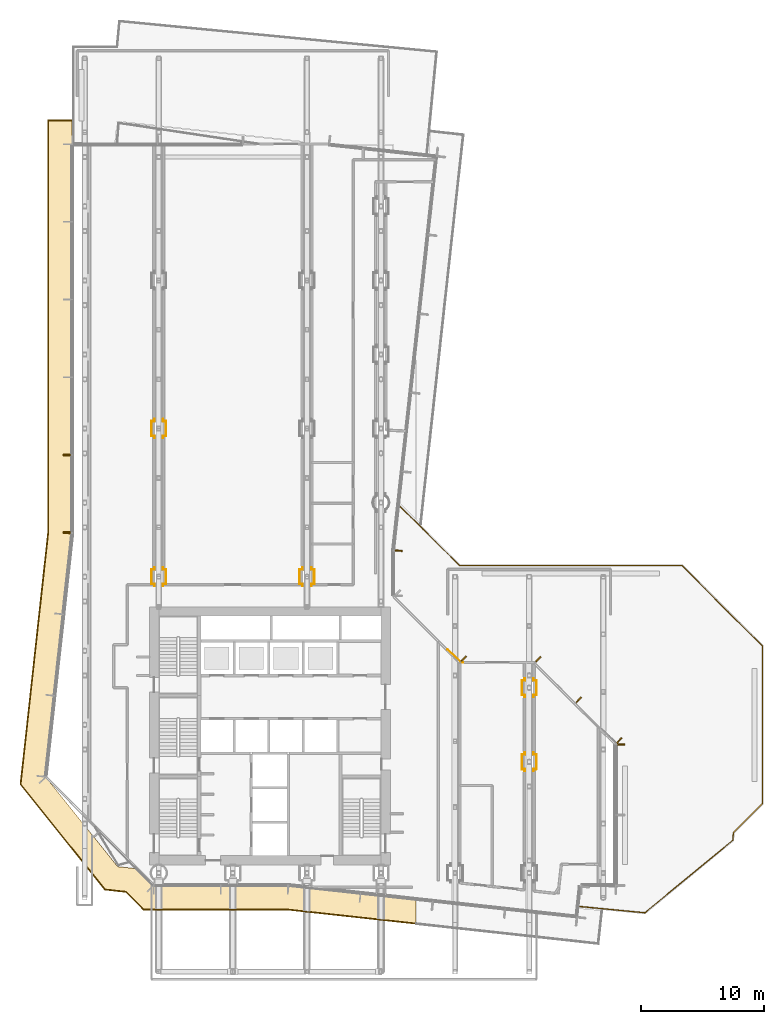
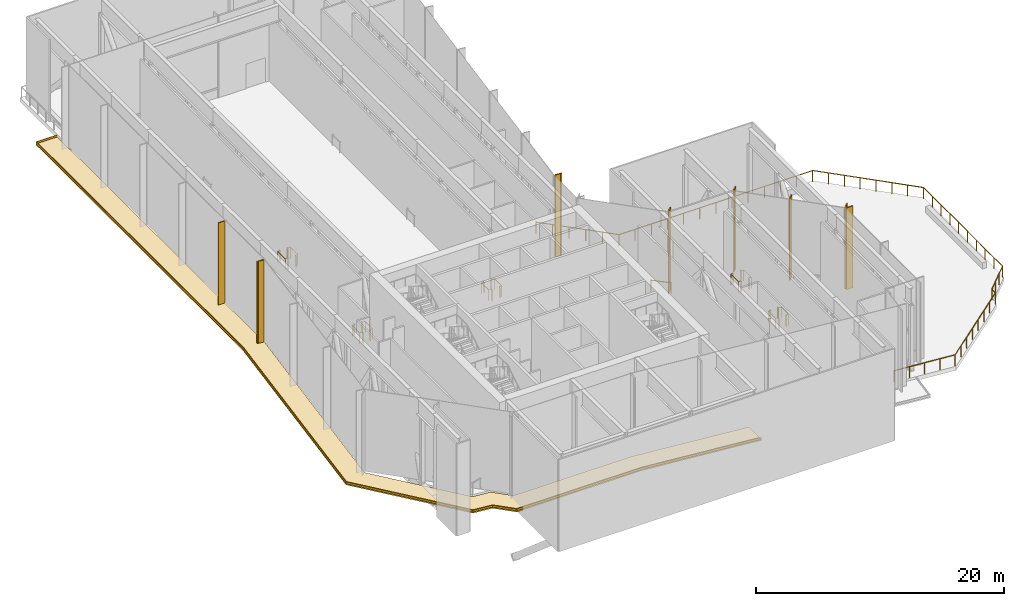
# One storey, part 21 of 24: 12 coverings, 12 railings.
"""IFC4 building model written with IfcOpenShell, lengths in metres."""

from ifc_helpers import new_model, si_unit, direction, frame, origin, origin_2d, place, context, subcontext, project, spatial, polyline, rectangle, circle, outline, extrude, material, layer, layer_set, type_object, element, save


model = new_model("IFC4")

# Units and contexts
model_context = context("Model", 3, precision=1e-05, world=origin(), true_north=direction((0.0, 1.0)))
body_context = subcontext(model_context, "Body", "Model", "MODEL_VIEW")
ifc_project = project(units=[si_unit("LENGTHUNIT", "METRE"), si_unit("AREAUNIT", "SQUARE_METRE"), si_unit("VOLUMEUNIT", "CUBIC_METRE"), si_unit("PLANEANGLEUNIT", "RADIAN"), si_unit("MASSUNIT", "GRAM", prefix="KILO")], contexts=[model_context])

# Site, building, storey
site_placement = place(None, origin())
site = spatial("IfcSite", under=ifc_project, at=site_placement, CompositionType="ELEMENT")
building_placement = place(site_placement, origin())
building = spatial("IfcBuilding", under=site, at=building_placement, Name="Welwitschia Terrace Campus", CompositionType="ELEMENT")
storey_placement = place(building_placement, frame((0.0, 0.0, 138.199951171875)))
storey = spatial("IfcBuildingStorey", under=building, at=storey_placement, Name="L31", CompositionType="ELEMENT", Elevation=138.199951171875)

# Coverings
ifc_material_1 = material(Name="Bronze anodised aluminium", Category="aluminium")
ifc_layer_1 = layer(ifc_material_1, 0.10009765625)
ifc_layer_set_1 = layer_set([ifc_layer_1], Name="Bronze anodised aluminium")
covering_type_1 = type_object("IfcCoveringType", Name="Bronze fin 100x600", PredefinedType="USERDEFINED", material=ifc_layer_set_1)
for number, where, z_axis, x_axis, name in (
    (1, (43.429931640625, 14.40478515625, 0.0), (0.0, 0.0, 1.0), (0.0, 1.0, 0.0), "Fin L31.5.2"),
    (2, (43.297607421875, 14.724853515625, 0.0), (0.0, 0.0, 1.0), (-0.707106781187, 0.707106781187, 0.0), "Fin L31.6.0"),
    (3, (40.01123046875, 18.01123046875, 0.0), (0.0, 0.0, 1.0), (-0.707106781187, 0.707106781187, 0.0), "Fin L31.6.1"),
    (4, (36.724853515625, 21.297607421875, 0.0), (0.0, 0.0, 1.0), (-0.707106781187, 0.707106781187, 0.0), "Fin L31.6.2"),
    (5, (30.682373046875, 21.33984375, 0.0), (0.0, 0.0, 1.0), (-0.707106781187, 0.707106781187, 0.0), "Fin L31.8.0"),
    (6, (25.429931640625, 30.09326171875, 0.0), (0.0, 0.0, 1.0), (0.0, 1.0, 0.0), "Fin L31.9.1"),
    (7, (25.430908203125, 30.11181640625, 0.0), (0.0, 0.0, 1.0), (0.108866874852, 0.994056338222, 0.0), "Fin L31.10.0"),
    (8, (-1.429931640625, 37.8486328125, 0.0), (0.0, 0.0, 1.0), (0.0, -1.0, 0.0), "Fin L31.13.4"),
    (9, (-1.429931640625, 31.578369140625, 0.0), (0.0, 0.0, 1.0), (0.0, -1.0, 0.0), "Fin L31.13.5"),
    (10, (-1.430908203125, 31.559814453125, 0.0), (0.0, 0.0, 1.0), (-0.108866874852, -0.994056338222, 0.0), "Fin L31.14.0"),
):
    element("IfcCovering", number, at=place(storey_placement, frame(where, z_axis=z_axis, x_axis=x_axis)), inside=storey, type_object=covering_type_1, Name=name, ObjectType="FIN", PredefinedType="USERDEFINED", context=body_context, shape_type="SweptSolid", body=[
        extrude(rectangle(XDim=0.10009765625, YDim=0.60009765625, at=origin_2d()), origin(), (0.0, 0.0, 1.0), 8.050048828125),
    ])

# Railings
ifc_material_2 = material(Name="Stainless steel grade 316", Category="steel")
railing_type = type_object("IfcRailingType", Name="Guard 1100", PredefinedType="GUARDRAIL", material=ifc_material_2)
railing_1_placement = place(storey_placement, frame((25.44970703125, 33.7744140625, 0.0)))
element("IfcRailing", 11, at=railing_1_placement, inside=storey, type_object=railing_type, Name="Guard terrace L31:0:0.0", PredefinedType="GUARDRAIL", context=body_context, shape_type="SweptSolid", body=[
    extrude(circle(Radius=0.02392578125, at=origin_2d()), frame((0.0, 0.0, 1.076171875), z_axis=(0.710604417472, -0.70359175796, 0.0), x_axis=(0.70359175796, 0.710604417472, 0.0)), (0.0, 0.0, 1.0), 6.927978515625),
    extrude(circle(Radius=0.02392578125, at=origin_2d()), frame((4.923095703125, -4.87451171875, 1.076171875), z_axis=(1.0, 0.0, 0.0), x_axis=(0.0, 1.0, 0.0)), (0.0, 0.0, 1.0), 18.0),
    extrude(circle(Radius=0.02392578125, at=origin_2d()), frame((22.923095703125, -4.87451171875, 1.076171875), z_axis=(0.707106781187, -0.707106781187, 0.0), x_axis=(0.707106781187, 0.707106781187, 0.0)), (0.0, 0.0, 1.0), 9.230712890625),
    extrude(circle(Radius=0.02392578125, at=origin_2d()), frame((29.4501953125, -11.401611328125, 1.076171875), z_axis=(0.0, -1.0, 0.0), x_axis=(1.0, 0.0, 0.0)), (0.0, 0.0, 1.0), 12.74560546875),
    extrude(circle(Radius=0.02392578125, at=origin_2d()), frame((29.4501953125, -24.147216796875, 1.076171875), z_axis=(-0.707106781187, -0.707106781187, 0.0), x_axis=(0.707106781187, -0.707106781187, 0.0)), (0.0, 0.0, 1.0), 3.315673828125),
    extrude(circle(Radius=0.02392578125, at=origin_2d()), frame((27.105712890625, -26.49169921875, 1.076171875), z_axis=(-0.096018549477, -0.995379544775, 0.0), x_axis=(0.995379544775, -0.096018549477, 0.0)), (0.0, 0.0, 1.0), 0.63818359375),
    extrude(circle(Radius=0.02392578125, at=origin_2d()), frame((27.04443359375, -27.126953125, 1.076171875), z_axis=(-0.771624765853, -0.636077998929, 0.0), x_axis=(0.636077998929, -0.771624765853, 0.0)), (0.0, 0.0, 1.0), 9.23095703125),
    extrude(circle(Radius=0.02392578125, at=origin_2d()), frame((19.921630859375, -32.99853515625, 1.076171875), z_axis=(-0.995380468741, 0.096008970667, 0.0), x_axis=(-0.096008970667, -0.995380468741, 0.0)), (0.0, 0.0, 1.0), 5.39599609375),
    extrude(circle(Radius=0.02099609375, at=origin_2d()), origin(), (0.0, 0.0, 1.0), 1.052001953125),
    extrude(circle(Radius=0.02099609375, at=origin_2d()), frame((0.984619140625, -0.974853515625, 0.0)), (0.0, 0.0, 1.0), 1.052001953125),
    extrude(circle(Radius=0.02099609375, at=origin_2d()), frame((1.96923828125, -1.94970703125, 0.0)), (0.0, 0.0, 1.0), 1.052001953125),
    extrude(circle(Radius=0.02099609375, at=origin_2d()), frame((2.953857421875, -2.9248046875, 0.0)), (0.0, 0.0, 1.0), 1.052001953125),
    extrude(circle(Radius=0.02099609375, at=origin_2d()), frame((3.9384765625, -3.899658203125, 0.0)), (0.0, 0.0, 1.0), 1.052001953125),
    extrude(circle(Radius=0.02099609375, at=origin_2d()), frame((4.923095703125, -4.87451171875, 0.0)), (0.0, 0.0, 1.0), 1.052001953125),
    extrude(circle(Radius=0.02099609375, at=origin_2d()), frame((6.423095703125, -4.87451171875, 0.0)), (0.0, 0.0, 1.0), 1.052001953125),
    extrude(circle(Radius=0.02099609375, at=origin_2d()), frame((7.923095703125, -4.87451171875, 0.0)), (0.0, 0.0, 1.0), 1.052001953125),
    extrude(circle(Radius=0.02099609375, at=origin_2d()), frame((9.423095703125, -4.87451171875, 0.0)), (0.0, 0.0, 1.0), 1.052001953125),
    extrude(circle(Radius=0.02099609375, at=origin_2d()), frame((10.923095703125, -4.87451171875, 0.0)), (0.0, 0.0, 1.0), 1.052001953125),
    extrude(circle(Radius=0.02099609375, at=origin_2d()), frame((12.423095703125, -4.87451171875, 0.0)), (0.0, 0.0, 1.0), 1.052001953125),
    extrude(circle(Radius=0.02099609375, at=origin_2d()), frame((13.923095703125, -4.87451171875, 0.0)), (0.0, 0.0, 1.0), 1.052001953125),
    extrude(circle(Radius=0.02099609375, at=origin_2d()), frame((15.423095703125, -4.87451171875, 0.0)), (0.0, 0.0, 1.0), 1.052001953125),
    extrude(circle(Radius=0.02099609375, at=origin_2d()), frame((16.923095703125, -4.87451171875, 0.0)), (0.0, 0.0, 1.0), 1.052001953125),
    extrude(circle(Radius=0.02099609375, at=origin_2d()), frame((18.423095703125, -4.87451171875, 0.0)), (0.0, 0.0, 1.0), 1.052001953125),
    extrude(circle(Radius=0.02099609375, at=origin_2d()), frame((19.923095703125, -4.87451171875, 0.0)), (0.0, 0.0, 1.0), 1.052001953125),
    extrude(circle(Radius=0.02099609375, at=origin_2d()), frame((21.423095703125, -4.87451171875, 0.0)), (0.0, 0.0, 1.0), 1.052001953125),
    extrude(circle(Radius=0.02099609375, at=origin_2d()), frame((22.923095703125, -4.87451171875, 0.0)), (0.0, 0.0, 1.0), 1.052001953125),
    extrude(circle(Radius=0.02099609375, at=origin_2d()), frame((23.85546875, -5.806884765625, 0.0)), (0.0, 0.0, 1.0), 1.052001953125),
    extrude(circle(Radius=0.02099609375, at=origin_2d()), frame((24.7880859375, -6.739501953125, 0.0)), (0.0, 0.0, 1.0), 1.052001953125),
    extrude(circle(Radius=0.02099609375, at=origin_2d()), frame((25.720458984375, -7.671875, 0.0)), (0.0, 0.0, 1.0), 1.052001953125),
    extrude(circle(Radius=0.02099609375, at=origin_2d()), frame((26.65283203125, -8.604248046875, 0.0)), (0.0, 0.0, 1.0), 1.052001953125),
    extrude(circle(Radius=0.02099609375, at=origin_2d()), frame((27.585205078125, -9.53662109375, 0.0)), (0.0, 0.0, 1.0), 1.052001953125),
    extrude(circle(Radius=0.02099609375, at=origin_2d()), frame((28.517822265625, -10.46923828125, 0.0)), (0.0, 0.0, 1.0), 1.052001953125),
    extrude(circle(Radius=0.02099609375, at=origin_2d()), frame((29.4501953125, -11.401611328125, 0.0)), (0.0, 0.0, 1.0), 1.052001953125),
    extrude(circle(Radius=0.02099609375, at=origin_2d()), frame((29.4501953125, -12.81787109375, 0.0)), (0.0, 0.0, 1.0), 1.052001953125),
    extrude(circle(Radius=0.02099609375, at=origin_2d()), frame((29.4501953125, -14.23388671875, 0.0)), (0.0, 0.0, 1.0), 1.052001953125),
    extrude(circle(Radius=0.02099609375, at=origin_2d()), frame((29.4501953125, -15.650146484375, 0.0)), (0.0, 0.0, 1.0), 1.052001953125),
    extrude(circle(Radius=0.02099609375, at=origin_2d()), frame((29.4501953125, -17.06640625, 0.0)), (0.0, 0.0, 1.0), 1.052001953125),
    extrude(circle(Radius=0.02099609375, at=origin_2d()), frame((29.4501953125, -18.482421875, 0.0)), (0.0, 0.0, 1.0), 1.052001953125),
    extrude(circle(Radius=0.02099609375, at=origin_2d()), frame((29.4501953125, -19.898681640625, 0.0)), (0.0, 0.0, 1.0), 1.052001953125),
    extrude(circle(Radius=0.02099609375, at=origin_2d()), frame((29.4501953125, -21.31494140625, 0.0)), (0.0, 0.0, 1.0), 1.052001953125),
    extrude(circle(Radius=0.02099609375, at=origin_2d()), frame((29.4501953125, -22.73095703125, 0.0)), (0.0, 0.0, 1.0), 1.052001953125),
    extrude(circle(Radius=0.02099609375, at=origin_2d()), frame((29.4501953125, -24.147216796875, 0.0)), (0.0, 0.0, 1.0), 1.052001953125),
    extrude(circle(Radius=0.02099609375, at=origin_2d()), frame((28.668701171875, -24.9287109375, 0.0)), (0.0, 0.0, 1.0), 1.052001953125),
    extrude(circle(Radius=0.02099609375, at=origin_2d()), frame((27.88720703125, -25.710205078125, 0.0)), (0.0, 0.0, 1.0), 1.052001953125),
    extrude(circle(Radius=0.02099609375, at=origin_2d()), frame((27.105712890625, -26.49169921875, 0.0)), (0.0, 0.0, 1.0), 1.052001953125),
    extrude(circle(Radius=0.02099609375, at=origin_2d()), frame((27.04443359375, -27.126953125, 0.0)), (0.0, 0.0, 1.0), 1.052001953125),
    extrude(circle(Radius=0.02099609375, at=origin_2d()), frame((26.02685546875, -27.9658203125, 0.0)), (0.0, 0.0, 1.0), 1.052001953125),
    extrude(circle(Radius=0.02099609375, at=origin_2d()), frame((25.00927734375, -28.804443359375, 0.0)), (0.0, 0.0, 1.0), 1.052001953125),
    extrude(circle(Radius=0.02099609375, at=origin_2d()), frame((23.99169921875, -29.643310546875, 0.0)), (0.0, 0.0, 1.0), 1.052001953125),
    extrude(circle(Radius=0.02099609375, at=origin_2d()), frame((22.974365234375, -30.482177734375, 0.0)), (0.0, 0.0, 1.0), 1.052001953125),
    extrude(circle(Radius=0.02099609375, at=origin_2d()), frame((21.956787109375, -31.321044921875, 0.0)), (0.0, 0.0, 1.0), 1.052001953125),
    extrude(circle(Radius=0.02099609375, at=origin_2d()), frame((20.939208984375, -32.15966796875, 0.0)), (0.0, 0.0, 1.0), 1.052001953125),
    extrude(circle(Radius=0.02099609375, at=origin_2d()), frame((19.921630859375, -32.99853515625, 0.0)), (0.0, 0.0, 1.0), 1.052001953125),
    extrude(circle(Radius=0.02099609375, at=origin_2d()), frame((18.578857421875, -32.869140625, 0.0)), (0.0, 0.0, 1.0), 1.052001953125),
    extrude(circle(Radius=0.02099609375, at=origin_2d()), frame((17.236083984375, -32.739501953125, 0.0)), (0.0, 0.0, 1.0), 1.052001953125),
    extrude(circle(Radius=0.02099609375, at=origin_2d()), frame((15.893310546875, -32.60986328125, 0.0)), (0.0, 0.0, 1.0), 1.052001953125),
    extrude(circle(Radius=0.02099609375, at=origin_2d()), frame((14.550537109375, -32.48046875, 0.0)), (0.0, 0.0, 1.0), 1.052001953125),
])
railing_2_placement = place(storey_placement, frame((30.653076171875, 21.050048828125, 0.0)))
element("IfcRailing", 12, at=railing_2_placement, inside=storey, type_object=railing_type, Name="Guard terrace L31:0:0.1", PredefinedType="GUARDRAIL", context=body_context, shape_type="SweptSolid", body=[
    extrude(circle(Radius=0.02392578125, at=origin_2d()), frame((0.0, 0.0, 1.076171875), z_axis=(-0.969362222536, 0.245635668257, 0.0), x_axis=(-0.245635668257, -0.969362222536, 0.0)), (0.0, 0.0, 1.0), 0.203857421875),
    extrude(circle(Radius=0.02392578125, at=origin_2d()), frame((-0.197509765625, 0.050048828125, 1.076171875), z_axis=(-0.731178852413, 0.682185814705, 0.0), x_axis=(-0.682185814705, -0.731178852413, 0.0)), (0.0, 0.0, 1.0), 1.445068359375),
    extrude(circle(Radius=0.02099609375, at=origin_2d()), origin(), (0.0, 0.0, 1.0), 1.052001953125),
    extrude(circle(Radius=0.02099609375, at=origin_2d()), frame((-0.197509765625, 0.050048828125, 0.0)), (0.0, 0.0, 1.0), 1.052001953125),
    extrude(circle(Radius=0.02099609375, at=origin_2d()), frame((-1.254150390625, 1.035888671875, 0.0)), (0.0, 0.0, 1.0), 1.052001953125),
])
for number, where, name in (
    (13, (36.35498046875, 12.2451171875, 0.0), "Guard floor edge L31.3"),
    (14, (36.35498046875, 18.2451171875, 0.0), "Guard floor edge L31.4"),
):
    element("IfcRailing", number, at=place(storey_placement, frame(where)), inside=storey, type_object=railing_type, Name=name, PredefinedType="GUARDRAIL", context=body_context, shape_type="SweptSolid", body=[
        extrude(circle(Radius=0.02392578125, at=origin_2d()), frame((0.0, 0.0, 1.076171875), z_axis=(0.0, 1.0, 0.0), x_axis=(-1.0, 0.0, 0.0)), (0.0, 0.0, 1.0), 0.159912109375),
        extrude(circle(Radius=0.02392578125, at=origin_2d()), frame((0.0, 0.159912109375, 1.076171875), z_axis=(1.0, 0.0, 0.0), x_axis=(0.0, 1.0, 0.0)), (0.0, 0.0, 1.0), 0.239990234375),
        extrude(circle(Radius=0.02392578125, at=origin_2d()), frame((0.239990234375, 0.159912109375, 1.076171875), z_axis=(0.0, 1.0, 0.0), x_axis=(-1.0, 0.0, 0.0)), (0.0, 0.0, 1.0), 1.18994140625),
        extrude(circle(Radius=0.02392578125, at=origin_2d()), frame((0.239990234375, 1.349853515625, 1.076171875), z_axis=(-1.0, 0.0, 0.0), x_axis=(0.0, -1.0, 0.0)), (0.0, 0.0, 1.0), 0.239990234375),
        extrude(circle(Radius=0.02392578125, at=origin_2d()), frame((0.0, 1.349853515625, 1.076171875), z_axis=(0.0, 1.0, 0.0), x_axis=(-1.0, 0.0, 0.0)), (0.0, 0.0, 1.0), 0.159912109375),
        extrude(circle(Radius=0.02099609375, at=origin_2d()), origin(), (0.0, 0.0, 1.0), 1.052001953125),
        extrude(circle(Radius=0.02099609375, at=origin_2d()), frame((0.0, 0.159912109375, 0.0)), (0.0, 0.0, 1.0), 1.052001953125),
        extrude(circle(Radius=0.02099609375, at=origin_2d()), frame((0.239990234375, 0.159912109375, 0.0)), (0.0, 0.0, 1.0), 1.052001953125),
        extrude(circle(Radius=0.02099609375, at=origin_2d()), frame((0.239990234375, 1.349853515625, 0.0)), (0.0, 0.0, 1.0), 1.052001953125),
        extrude(circle(Radius=0.02099609375, at=origin_2d()), frame((0.0, 1.349853515625, 0.0)), (0.0, 0.0, 1.0), 1.052001953125),
        extrude(circle(Radius=0.02099609375, at=origin_2d()), frame((0.0, 1.509765625, 0.0)), (0.0, 0.0, 1.0), 1.052001953125),
    ])
for number, where, name in (
    (15, (35.64501953125, 13.7548828125, 0.0), "Guard floor edge L31.6"),
    (16, (35.64501953125, 19.7548828125, 0.0), "Guard floor edge L31.7"),
    (17, (17.64501953125, 28.7548828125, 0.0), "Guard floor edge L31.26"),
):
    element("IfcRailing", number, at=place(storey_placement, frame(where)), inside=storey, type_object=railing_type, Name=name, PredefinedType="GUARDRAIL", context=body_context, shape_type="SweptSolid", body=[
        extrude(circle(Radius=0.02392578125, at=origin_2d()), frame((0.0, 0.0, 1.076171875), z_axis=(0.0, -1.0, 0.0), x_axis=(1.0, 0.0, 0.0)), (0.0, 0.0, 1.0), 0.159912109375),
        extrude(circle(Radius=0.02392578125, at=origin_2d()), frame((0.0, -0.159912109375, 1.076171875), z_axis=(-1.0, 0.0, 0.0), x_axis=(0.0, -1.0, 0.0)), (0.0, 0.0, 1.0), 0.239990234375),
        extrude(circle(Radius=0.02392578125, at=origin_2d()), frame((-0.239990234375, -0.159912109375, 1.076171875), z_axis=(0.0, -1.0, 0.0), x_axis=(1.0, 0.0, 0.0)), (0.0, 0.0, 1.0), 1.18994140625),
        extrude(circle(Radius=0.02392578125, at=origin_2d()), frame((-0.239990234375, -1.349853515625, 1.076171875), z_axis=(1.0, 0.0, 0.0), x_axis=(0.0, 1.0, 0.0)), (0.0, 0.0, 1.0), 0.239990234375),
        extrude(circle(Radius=0.02392578125, at=origin_2d()), frame((0.0, -1.349853515625, 1.076171875), z_axis=(0.0, -1.0, 0.0), x_axis=(1.0, 0.0, 0.0)), (0.0, 0.0, 1.0), 0.159912109375),
        extrude(circle(Radius=0.02099609375, at=origin_2d()), origin(), (0.0, 0.0, 1.0), 1.052001953125),
        extrude(circle(Radius=0.02099609375, at=origin_2d()), frame((0.0, -0.159912109375, 0.0)), (0.0, 0.0, 1.0), 1.052001953125),
        extrude(circle(Radius=0.02099609375, at=origin_2d()), frame((-0.239990234375, -0.159912109375, 0.0)), (0.0, 0.0, 1.0), 1.052001953125),
        extrude(circle(Radius=0.02099609375, at=origin_2d()), frame((-0.239990234375, -1.349853515625, 0.0)), (0.0, 0.0, 1.0), 1.052001953125),
        extrude(circle(Radius=0.02099609375, at=origin_2d()), frame((0.0, -1.349853515625, 0.0)), (0.0, 0.0, 1.0), 1.052001953125),
        extrude(circle(Radius=0.02099609375, at=origin_2d()), frame((0.0, -1.509765625, 0.0)), (0.0, 0.0, 1.0), 1.052001953125),
    ])
railing_3_placement = place(storey_placement, frame((18.35498046875, 27.2451171875, 0.0)))
element("IfcRailing", 18, at=railing_3_placement, inside=storey, type_object=railing_type, Name="Guard floor edge L31.27", PredefinedType="GUARDRAIL", context=body_context, shape_type="SweptSolid", body=[
    extrude(circle(Radius=0.02392578125, at=origin_2d()), frame((0.0, 0.0, 1.076171875), z_axis=(0.0, 1.0, 0.0), x_axis=(-1.0, 0.0, 0.0)), (0.0, 0.0, 1.0), 0.159912109375),
    extrude(circle(Radius=0.02392578125, at=origin_2d()), frame((0.0, 0.159912109375, 1.076171875), z_axis=(1.0, 0.0, 0.0), x_axis=(0.0, 1.0, 0.0)), (0.0, 0.0, 1.0), 0.239990234375),
    extrude(circle(Radius=0.02392578125, at=origin_2d()), frame((0.239990234375, 0.159912109375, 1.076171875), z_axis=(0.0, 1.0, 0.0), x_axis=(-1.0, 0.0, 0.0)), (0.0, 0.0, 1.0), 1.18994140625),
    extrude(circle(Radius=0.02392578125, at=origin_2d()), frame((0.239990234375, 1.349853515625, 1.076171875), z_axis=(-1.0, 0.0, 0.0), x_axis=(0.0, -1.0, 0.0)), (0.0, 0.0, 1.0), 0.239990234375),
    extrude(circle(Radius=0.02392578125, at=origin_2d()), frame((0.0, 1.349853515625, 1.076171875), z_axis=(0.0, 1.0, 0.0), x_axis=(-1.0, 0.0, 0.0)), (0.0, 0.0, 1.0), 0.159912109375),
    extrude(circle(Radius=0.02099609375, at=origin_2d()), origin(), (0.0, 0.0, 1.0), 1.052001953125),
    extrude(circle(Radius=0.02099609375, at=origin_2d()), frame((0.0, 0.159912109375, 0.0)), (0.0, 0.0, 1.0), 1.052001953125),
    extrude(circle(Radius=0.02099609375, at=origin_2d()), frame((0.239990234375, 0.159912109375, 0.0)), (0.0, 0.0, 1.0), 1.052001953125),
    extrude(circle(Radius=0.02099609375, at=origin_2d()), frame((0.239990234375, 1.349853515625, 0.0)), (0.0, 0.0, 1.0), 1.052001953125),
    extrude(circle(Radius=0.02099609375, at=origin_2d()), frame((0.0, 1.349853515625, 0.0)), (0.0, 0.0, 1.0), 1.052001953125),
    extrude(circle(Radius=0.02099609375, at=origin_2d()), frame((0.0, 1.509765625, 0.0)), (0.0, 0.0, 1.0), 1.052001953125),
])
railing_4_placement = place(storey_placement, frame((5.64501953125, 40.7548828125, 0.0)))
element("IfcRailing", 19, at=railing_4_placement, inside=storey, type_object=railing_type, Name="Guard floor edge L31.30", PredefinedType="GUARDRAIL", context=body_context, shape_type="SweptSolid", body=[
    extrude(circle(Radius=0.02392578125, at=origin_2d()), frame((0.0, 0.0, 1.076171875), z_axis=(0.0, -1.0, 0.0), x_axis=(1.0, 0.0, 0.0)), (0.0, 0.0, 1.0), 0.159912109375),
    extrude(circle(Radius=0.02392578125, at=origin_2d()), frame((0.0, -0.159912109375, 1.076171875), z_axis=(-1.0, 0.0, 0.0), x_axis=(0.0, -1.0, 0.0)), (0.0, 0.0, 1.0), 0.239990234375),
    extrude(circle(Radius=0.02392578125, at=origin_2d()), frame((-0.239990234375, -0.159912109375, 1.076171875), z_axis=(0.0, -1.0, 0.0), x_axis=(1.0, 0.0, 0.0)), (0.0, 0.0, 1.0), 1.18994140625),
    extrude(circle(Radius=0.02392578125, at=origin_2d()), frame((-0.239990234375, -1.349853515625, 1.076171875), z_axis=(1.0, 0.0, 0.0), x_axis=(0.0, 1.0, 0.0)), (0.0, 0.0, 1.0), 0.239990234375),
    extrude(circle(Radius=0.02392578125, at=origin_2d()), frame((0.0, -1.349853515625, 1.076171875), z_axis=(0.0, -1.0, 0.0), x_axis=(1.0, 0.0, 0.0)), (0.0, 0.0, 1.0), 0.159912109375),
    extrude(circle(Radius=0.02099609375, at=origin_2d()), origin(), (0.0, 0.0, 1.0), 1.052001953125),
    extrude(circle(Radius=0.02099609375, at=origin_2d()), frame((0.0, -0.159912109375, 0.0)), (0.0, 0.0, 1.0), 1.052001953125),
    extrude(circle(Radius=0.02099609375, at=origin_2d()), frame((-0.239990234375, -0.159912109375, 0.0)), (0.0, 0.0, 1.0), 1.052001953125),
    extrude(circle(Radius=0.02099609375, at=origin_2d()), frame((-0.239990234375, -1.349853515625, 0.0)), (0.0, 0.0, 1.0), 1.052001953125),
    extrude(circle(Radius=0.02099609375, at=origin_2d()), frame((0.0, -1.349853515625, 0.0)), (0.0, 0.0, 1.0), 1.052001953125),
    extrude(circle(Radius=0.02099609375, at=origin_2d()), frame((0.0, -1.509765625, 0.0)), (0.0, 0.0, 1.0), 1.052001953125),
])
railing_5_placement = place(storey_placement, frame((6.35498046875, 39.2451171875, 0.0)))
element("IfcRailing", 20, at=railing_5_placement, inside=storey, type_object=railing_type, Name="Guard floor edge L31.31", PredefinedType="GUARDRAIL", context=body_context, shape_type="SweptSolid", body=[
    extrude(circle(Radius=0.02392578125, at=origin_2d()), frame((0.0, 0.0, 1.076171875), z_axis=(0.0, 1.0, 0.0), x_axis=(-1.0, 0.0, 0.0)), (0.0, 0.0, 1.0), 0.159912109375),
    extrude(circle(Radius=0.02392578125, at=origin_2d()), frame((0.0, 0.159912109375, 1.076171875), z_axis=(1.0, 0.0, 0.0), x_axis=(0.0, 1.0, 0.0)), (0.0, 0.0, 1.0), 0.239990234375),
    extrude(circle(Radius=0.02392578125, at=origin_2d()), frame((0.239990234375, 0.159912109375, 1.076171875), z_axis=(0.0, 1.0, 0.0), x_axis=(-1.0, 0.0, 0.0)), (0.0, 0.0, 1.0), 1.18994140625),
    extrude(circle(Radius=0.02392578125, at=origin_2d()), frame((0.239990234375, 1.349853515625, 1.076171875), z_axis=(-1.0, 0.0, 0.0), x_axis=(0.0, -1.0, 0.0)), (0.0, 0.0, 1.0), 0.239990234375),
    extrude(circle(Radius=0.02392578125, at=origin_2d()), frame((0.0, 1.349853515625, 1.076171875), z_axis=(0.0, 1.0, 0.0), x_axis=(-1.0, 0.0, 0.0)), (0.0, 0.0, 1.0), 0.159912109375),
    extrude(circle(Radius=0.02099609375, at=origin_2d()), origin(), (0.0, 0.0, 1.0), 1.052001953125),
    extrude(circle(Radius=0.02099609375, at=origin_2d()), frame((0.0, 0.159912109375, 0.0)), (0.0, 0.0, 1.0), 1.052001953125),
    extrude(circle(Radius=0.02099609375, at=origin_2d()), frame((0.239990234375, 0.159912109375, 0.0)), (0.0, 0.0, 1.0), 1.052001953125),
    extrude(circle(Radius=0.02099609375, at=origin_2d()), frame((0.239990234375, 1.349853515625, 0.0)), (0.0, 0.0, 1.0), 1.052001953125),
    extrude(circle(Radius=0.02099609375, at=origin_2d()), frame((0.0, 1.349853515625, 0.0)), (0.0, 0.0, 1.0), 1.052001953125),
    extrude(circle(Radius=0.02099609375, at=origin_2d()), frame((0.0, 1.509765625, 0.0)), (0.0, 0.0, 1.0), 1.052001953125),
])
railing_6_placement = place(storey_placement, frame((5.64501953125, 28.7548828125, 0.0)))
element("IfcRailing", 21, at=railing_6_placement, inside=storey, type_object=railing_type, Name="Guard floor edge L31.34", PredefinedType="GUARDRAIL", context=body_context, shape_type="SweptSolid", body=[
    extrude(circle(Radius=0.02392578125, at=origin_2d()), frame((0.0, 0.0, 1.076171875), z_axis=(0.0, -1.0, 0.0), x_axis=(1.0, 0.0, 0.0)), (0.0, 0.0, 1.0), 0.159912109375),
    extrude(circle(Radius=0.02392578125, at=origin_2d()), frame((0.0, -0.159912109375, 1.076171875), z_axis=(-1.0, 0.0, 0.0), x_axis=(0.0, -1.0, 0.0)), (0.0, 0.0, 1.0), 0.239990234375),
    extrude(circle(Radius=0.02392578125, at=origin_2d()), frame((-0.239990234375, -0.159912109375, 1.076171875), z_axis=(0.0, -1.0, 0.0), x_axis=(1.0, 0.0, 0.0)), (0.0, 0.0, 1.0), 1.18994140625),
    extrude(circle(Radius=0.02392578125, at=origin_2d()), frame((-0.239990234375, -1.349853515625, 1.076171875), z_axis=(1.0, 0.0, 0.0), x_axis=(0.0, 1.0, 0.0)), (0.0, 0.0, 1.0), 0.239990234375),
    extrude(circle(Radius=0.02392578125, at=origin_2d()), frame((0.0, -1.349853515625, 1.076171875), z_axis=(0.0, -1.0, 0.0), x_axis=(1.0, 0.0, 0.0)), (0.0, 0.0, 1.0), 0.159912109375),
    extrude(circle(Radius=0.02099609375, at=origin_2d()), origin(), (0.0, 0.0, 1.0), 1.052001953125),
    extrude(circle(Radius=0.02099609375, at=origin_2d()), frame((0.0, -0.159912109375, 0.0)), (0.0, 0.0, 1.0), 1.052001953125),
    extrude(circle(Radius=0.02099609375, at=origin_2d()), frame((-0.239990234375, -0.159912109375, 0.0)), (0.0, 0.0, 1.0), 1.052001953125),
    extrude(circle(Radius=0.02099609375, at=origin_2d()), frame((-0.239990234375, -1.349853515625, 0.0)), (0.0, 0.0, 1.0), 1.052001953125),
    extrude(circle(Radius=0.02099609375, at=origin_2d()), frame((0.0, -1.349853515625, 0.0)), (0.0, 0.0, 1.0), 1.052001953125),
    extrude(circle(Radius=0.02099609375, at=origin_2d()), frame((0.0, -1.509765625, 0.0)), (0.0, 0.0, 1.0), 1.052001953125),
])
railing_7_placement = place(storey_placement, frame((6.35498046875, 27.2451171875, 0.0)))
element("IfcRailing", 22, at=railing_7_placement, inside=storey, type_object=railing_type, Name="Guard floor edge L31.35", PredefinedType="GUARDRAIL", context=body_context, shape_type="SweptSolid", body=[
    extrude(circle(Radius=0.02392578125, at=origin_2d()), frame((0.0, 0.0, 1.076171875), z_axis=(0.0, 1.0, 0.0), x_axis=(-1.0, 0.0, 0.0)), (0.0, 0.0, 1.0), 0.159912109375),
    extrude(circle(Radius=0.02392578125, at=origin_2d()), frame((0.0, 0.159912109375, 1.076171875), z_axis=(1.0, 0.0, 0.0), x_axis=(0.0, 1.0, 0.0)), (0.0, 0.0, 1.0), 0.239990234375),
    extrude(circle(Radius=0.02392578125, at=origin_2d()), frame((0.239990234375, 0.159912109375, 1.076171875), z_axis=(0.0, 1.0, 0.0), x_axis=(-1.0, 0.0, 0.0)), (0.0, 0.0, 1.0), 1.18994140625),
    extrude(circle(Radius=0.02392578125, at=origin_2d()), frame((0.239990234375, 1.349853515625, 1.076171875), z_axis=(-1.0, 0.0, 0.0), x_axis=(0.0, -1.0, 0.0)), (0.0, 0.0, 1.0), 0.239990234375),
    extrude(circle(Radius=0.02392578125, at=origin_2d()), frame((0.0, 1.349853515625, 1.076171875), z_axis=(0.0, 1.0, 0.0), x_axis=(-1.0, 0.0, 0.0)), (0.0, 0.0, 1.0), 0.159912109375),
    extrude(circle(Radius=0.02099609375, at=origin_2d()), origin(), (0.0, 0.0, 1.0), 1.052001953125),
    extrude(circle(Radius=0.02099609375, at=origin_2d()), frame((0.0, 0.159912109375, 0.0)), (0.0, 0.0, 1.0), 1.052001953125),
    extrude(circle(Radius=0.02099609375, at=origin_2d()), frame((0.239990234375, 0.159912109375, 0.0)), (0.0, 0.0, 1.0), 1.052001953125),
    extrude(circle(Radius=0.02099609375, at=origin_2d()), frame((0.239990234375, 1.349853515625, 0.0)), (0.0, 0.0, 1.0), 1.052001953125),
    extrude(circle(Radius=0.02099609375, at=origin_2d()), frame((0.0, 1.349853515625, 0.0)), (0.0, 0.0, 1.0), 1.052001953125),
    extrude(circle(Radius=0.02099609375, at=origin_2d()), frame((0.0, 1.509765625, 0.0)), (0.0, 0.0, 1.0), 1.052001953125),
])

# Coverings
ifc_material_3 = material(Name="Bronze anodised aluminium", Category="aluminium")
ifc_layer_2 = layer(ifc_material_3, 0.1201171875)
ifc_layer_set_2 = layer_set([ifc_layer_2], Name="Bronze anodised aluminium")
covering_type_2 = type_object("IfcCoveringType", Name="Sunshade band 2000", PredefinedType="USERDEFINED", material=ifc_layer_set_2)
covering_1_placement = place(storey_placement, frame((0.0, 0.0, -0.300048828125)))
element("IfcCovering", 23, at=covering_1_placement, inside=storey, type_object=covering_type_2, Name="SUNSHADE L31.SW0", ObjectType="SUNSHADE", PredefinedType="USERDEFINED", context=body_context, shape_type="SweptSolid", body=[
    extrude(outline(polyline([(-1.050048828125, 65.0), (-1.050048828125, 62.949951171875), (-1.0, 62.949951171875), (-1.0, 31.54541015625), (-3.1650390625, 11.77734375), (2.664794921875, 4.513916015625), (4.2451171875, 4.3408203125), (5.585693359375, 3.0), (16.4873046875, 3.0), (26.8349609375, 1.86669921875), (26.8349609375, -0.145263671875), (16.3779296875, 1.0), (4.75732421875, 1.0), (3.328125, 2.42919921875), (1.62353515625, 2.615966796875), (-5.243408203125, 11.171630859375), (-3.0, 31.65478515625), (-3.0, 65.0), (-1.050048828125, 65.0)])), origin(), (0.0, 0.0, 1.0), 0.1201171875),
])
ifc_material_4 = material(Name="Bronze anodised aluminium", Category="aluminium")
ifc_layer_3 = layer(ifc_material_4, 0.06005859375)
ifc_layer_set_3 = layer_set([ifc_layer_3], Name="Bronze anodised aluminium")
covering_type_3 = type_object("IfcCoveringType", Name="Sunshade lip 60", PredefinedType="USERDEFINED", material=ifc_layer_set_3)
covering_2_placement = place(storey_placement, frame((0.0, 0.0, -0.179931640625)))
element("IfcCovering", 24, at=covering_2_placement, inside=storey, type_object=covering_type_3, Name="SUNSHADE LIP L31.SW0.0", ObjectType="SUNSHADE", PredefinedType="USERDEFINED", context=body_context, shape_type="SweptSolid", body=[
    extrude(outline(polyline([(-1.050048828125, 64.93994140625), (-2.93994140625, 64.93994140625), (-2.93994140625, 31.6513671875), (-5.180908203125, 11.189697265625), (1.65478515625, 2.6728515625), (3.355712890625, 2.486572265625), (4.7822265625, 1.06005859375), (16.38134765625, 1.06005859375), (26.8349609375, -0.0849609375), (26.8349609375, -0.145263671875), (16.3779296875, 1.0), (4.75732421875, 1.0), (3.328125, 2.42919921875), (1.62353515625, 2.615966796875), (-5.243408203125, 11.171630859375), (-3.0, 31.65478515625), (-3.0, 65.0), (-1.050048828125, 65.0), (-1.050048828125, 64.93994140625)])), origin(), (0.0, 0.0, 1.0), 0.179931640625),
])

save(model, "model.ifc")
